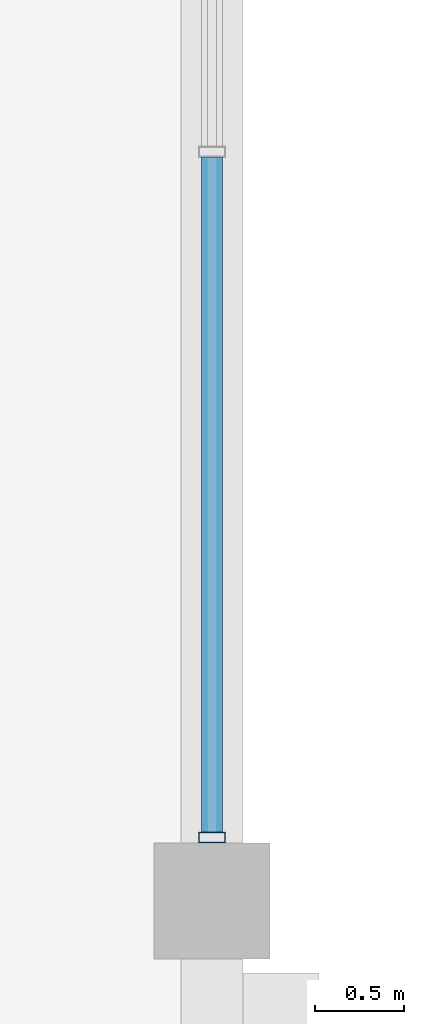
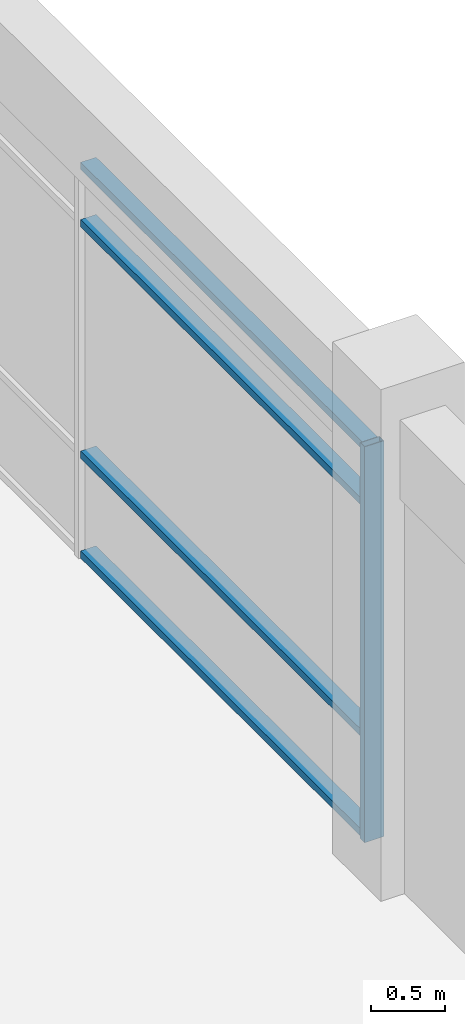
# One storey, part 2 of 32: 5 members, 1 element without a shape of its own.
"""IFC4 building model written with IfcOpenShell, lengths in metres."""

from ifc_helpers import new_model, si_unit, direction, frame, origin, origin_2d, place, context, subcontext, project, spatial, hollow_rectangle, extrude, material, material_profile, profile_set, type_object, element, aggregate, save


model = new_model("IFC4")

# Units and contexts
model_context = context("Model", 3, precision=1e-05, world=origin(), true_north=direction((0.0, 1.0)))
body_context = subcontext(model_context, "Body", "Model", "MODEL_VIEW")
ifc_project = project(units=[si_unit("LENGTHUNIT", "METRE"), si_unit("AREAUNIT", "SQUARE_METRE"), si_unit("VOLUMEUNIT", "CUBIC_METRE"), si_unit("PLANEANGLEUNIT", "RADIAN"), si_unit("MASSUNIT", "GRAM", prefix="KILO"), si_unit("THERMODYNAMICTEMPERATUREUNIT", "KELVIN"), si_unit("POWERUNIT", "WATT")], contexts=[model_context])

# Site, building, storey
site_placement = place(None, origin())
site = spatial("IfcSite", under=ifc_project, at=site_placement, CompositionType="ELEMENT")
building_placement = place(site_placement, origin())
building = spatial("IfcBuilding", under=site, at=building_placement, Name="Srebrne Nadtorze General Hospital", CompositionType="ELEMENT")
storey_placement = place(building_placement, frame((0.0, 0.0, 29.699951171875)))
storey = spatial("IfcBuildingStorey", under=building, at=storey_placement, Name="L07", CompositionType="ELEMENT", Elevation=29.699951171875)

# Curtain wall, members
ifc_material_1 = material(Name="Anodised Aluminium", Category="aluminium")
curtain_wall_type = type_object("IfcCurtainWallType", Name="Unitised curtain wall 7750x3250", PredefinedType="NOTDEFINED", material=ifc_material_1)
curtain_wall_placement = place(storey_placement, origin())
curtain_wall = element("IfcCurtainWall", 1, at=curtain_wall_placement, inside=storey, type_object=curtain_wall_type, Name="Curtain wall CW-154", PredefinedType="NOTDEFINED")
ifc_material_2 = material(Name="Anodised Aluminium", Category="aluminium")
ifc_material_profile_1 = material_profile(ifc_material_2, hollow_rectangle(XDim=0.06005859375, YDim=0.14990234375, WallThickness=0.00390625, at=origin_2d()), Name="AL-MUL-60x150")
ifc_profile_set_1 = profile_set([ifc_material_profile_1], Name="Anodised Aluminium")
member_type_1 = type_object("IfcMemberType", Name="Curtain mullion 60x150", PredefinedType="MULLION", material=ifc_profile_set_1)
member_1_placement = place(storey_placement, frame((54.60009765625, 33.955078125, 0.0), z_axis=(0.0, 0.0, 1.0), x_axis=(0.0, 1.0, 0.0)))
member_1 = element("IfcMember", 2, at=member_1_placement, type_object=member_type_1, Name="CW-154 mullion 1", PredefinedType="MULLION", context=body_context, shape_type="SweptSolid", body=[
    extrude(hollow_rectangle(XDim=0.06005859375, YDim=0.14990234375, WallThickness=0.00390625, at=origin_2d()), origin(), (0.0, 0.0, 1.0), 3.25),
])
ifc_material_3 = material(Name="Anodised Aluminium", Category="aluminium")
ifc_material_profile_2 = material_profile(ifc_material_3, hollow_rectangle(XDim=0.06005859375, YDim=0.1201171875, WallThickness=0.00390625, at=origin_2d()), Name="AL-TRN-60x120")
ifc_profile_set_2 = profile_set([ifc_material_profile_2], Name="Anodised Aluminium")
member_type_2 = type_object("IfcMemberType", Name="Curtain transom 60x120", PredefinedType="USERDEFINED", material=ifc_profile_set_2)
member_2_placement = place(storey_placement, frame((54.60009765625, 33.985107421875, 0.030029296875), z_axis=(0.0, 1.0, 0.0), x_axis=(0.0, 0.0, 1.0)))
member_2 = element("IfcMember", 3, at=member_2_placement, type_object=member_type_2, Name="CW-154 transom 1.1", ObjectType="TRANSOM", PredefinedType="USERDEFINED", context=body_context, shape_type="SweptSolid", body=[
    extrude(hollow_rectangle(XDim=0.06005859375, YDim=0.1201171875, WallThickness=0.00390625, at=origin_2d()), origin(), (0.0, 0.0, 1.0), 3.784912109375),
])
member_3_placement = place(storey_placement, frame((54.60009765625, 33.985107421875, 0.85009765625), z_axis=(0.0, 1.0, 0.0), x_axis=(0.0, 0.0, 1.0)))
member_3 = element("IfcMember", 4, at=member_3_placement, type_object=member_type_2, Name="CW-154 transom 1.2", ObjectType="TRANSOM", PredefinedType="USERDEFINED", context=body_context, shape_type="SweptSolid", body=[
    extrude(hollow_rectangle(XDim=0.06005859375, YDim=0.1201171875, WallThickness=0.00390625, at=origin_2d()), origin(), (0.0, 0.0, 1.0), 3.784912109375),
])
member_4_placement = place(storey_placement, frame((54.60009765625, 33.985107421875, 2.75), z_axis=(0.0, 1.0, 0.0), x_axis=(0.0, 0.0, 1.0)))
member_4 = element("IfcMember", 5, at=member_4_placement, type_object=member_type_2, Name="CW-154 transom 1.3", ObjectType="TRANSOM", PredefinedType="USERDEFINED", context=body_context, shape_type="SweptSolid", body=[
    extrude(hollow_rectangle(XDim=0.06005859375, YDim=0.1201171875, WallThickness=0.00390625, at=origin_2d()), origin(), (0.0, 0.0, 1.0), 3.784912109375),
])
member_5_placement = place(storey_placement, frame((54.60009765625, 33.985107421875, 3.219970703125), z_axis=(0.0, 1.0, 0.0), x_axis=(0.0, 0.0, 1.0)))
member_5 = element("IfcMember", 6, at=member_5_placement, type_object=member_type_2, Name="CW-154 transom 1.4", ObjectType="TRANSOM", PredefinedType="USERDEFINED", context=body_context, shape_type="SweptSolid", body=[
    extrude(hollow_rectangle(XDim=0.06005859375, YDim=0.1201171875, WallThickness=0.00390625, at=origin_2d()), origin(), (0.0, 0.0, 1.0), 3.784912109375),
])
aggregate(curtain_wall, [member_1, member_2, member_3, member_4, member_5])

save(model, "model.ifc")
